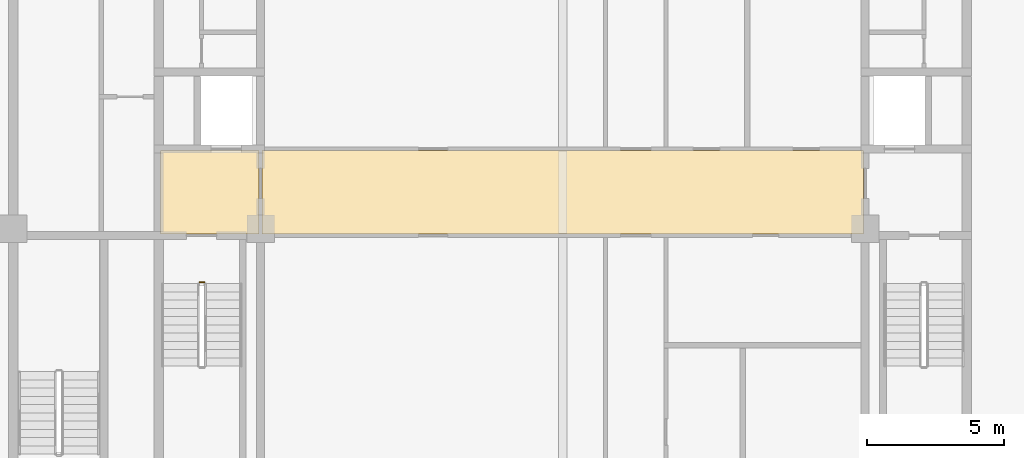
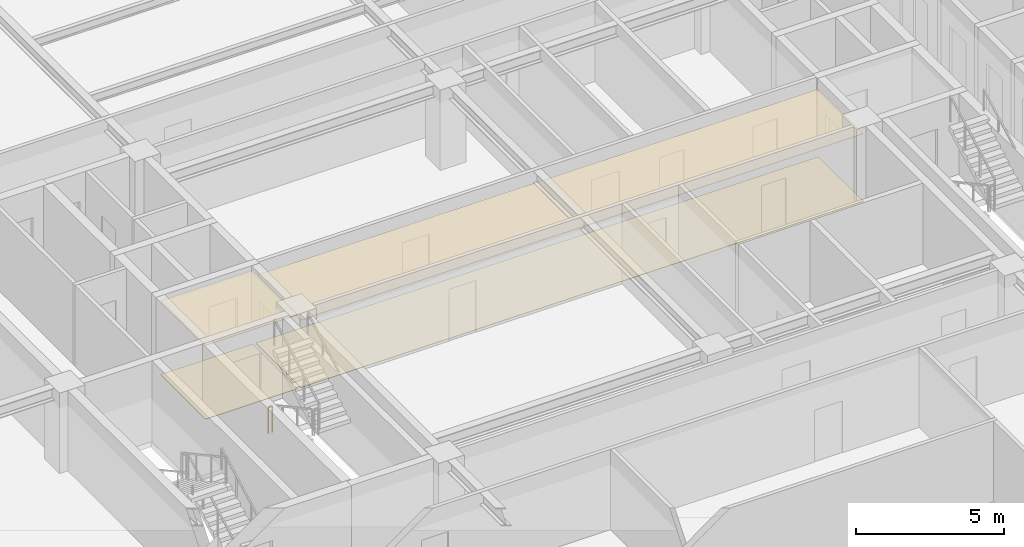
# One storey, part 18 of 20: 4 coverings, 1 railing.
"""IFC4 building model written with IfcOpenShell, lengths in metres."""

from ifc_helpers import new_model, si_unit, direction, frame, origin, origin_2d, place, context, subcontext, project, spatial, polyline, rectangle, outline, extrude, material, layer, layer_set, type_object, element, save


model = new_model("IFC4")

# Units and contexts
model_context = context("Model", 3, precision=1e-05, world=origin(), true_north=direction((0.0, 1.0)))
body_context = subcontext(model_context, "Body", "Model", "MODEL_VIEW")
ifc_project = project(units=[si_unit("LENGTHUNIT", "METRE"), si_unit("AREAUNIT", "SQUARE_METRE"), si_unit("VOLUMEUNIT", "CUBIC_METRE"), si_unit("PLANEANGLEUNIT", "RADIAN"), si_unit("MASSUNIT", "GRAM", prefix="KILO")], contexts=[model_context])

# Site, building, storey
site_placement = place(None, origin())
site = spatial("IfcSite", under=ifc_project, at=site_placement, CompositionType="ELEMENT")
building_placement = place(site_placement, origin())
building = spatial("IfcBuilding", under=site, at=building_placement, Name="Zulmaris Gate Convention Tower", CompositionType="ELEMENT")
storey_placement = place(building_placement, frame((0.0, 0.0, 146.33984375)))
storey = spatial("IfcBuildingStorey", under=building, at=storey_placement, Name="L37", CompositionType="ELEMENT", Elevation=146.33984375)

# Coverings
ifc_material_1 = material(Name="Mineral Fibre Acoustic Ceiling Tile")
ifc_layer_1 = layer(ifc_material_1, 0.02001953125, Name="Mineral Fibre Acoustic Ceiling Tile")
ifc_layer_set_1 = layer_set([ifc_layer_1], Name="Mineral Fibre Acoustic Ceiling Tile")
covering_type_1 = type_object("IfcCoveringType", Name="CLG-ACOUSTIC-600", PredefinedType="CEILING", material=ifc_layer_set_1)
covering_1_placement = place(storey_placement, frame((0.0, 0.0, 3.0400390625)))
element("IfcCovering", 1, at=covering_1_placement, inside=storey, type_object=covering_type_1, Name="CLG-L37-R03", PredefinedType="CEILING", context=body_context, shape_type="SweptSolid", body=[
    extrude(outline(polyline([(-14.639892578125, -0.18994140625), (-11.06005859375, -0.18994140625), (-11.06005859375, 2.840087890625), (-14.639892578125, 2.840087890625), (-14.639892578125, -0.18994140625)])), origin(), (0.0, 0.0, 1.0), 0.02001953125),
])
covering_2_placement = place(storey_placement, frame((0.0, 0.0, 2.778076171875)))
element("IfcCovering", 2, at=covering_2_placement, inside=storey, type_object=covering_type_1, Name="CLG-L37-R34", PredefinedType="CEILING", context=body_context, shape_type="SweptSolid", body=[
    extrude(outline(polyline([(-10.93994140625, -0.18994140625), (10.93994140625, -0.18994140625), (10.93994140625, 2.840087890625), (-10.93994140625, 2.840087890625), (-10.93994140625, -0.18994140625)])), origin(), (0.0, 0.0, 1.0), 0.02001953125),
])
ifc_material_2 = material(Name="Woven Acoustic Wool Carpet Tile")
ifc_layer_2 = layer(ifc_material_2, 0.02001953125, Name="Woven Acoustic Wool Carpet Tile")
ifc_layer_set_2 = layer_set([ifc_layer_2], Name="Woven Acoustic Wool Carpet Tile")
covering_type_2 = type_object("IfcCoveringType", Name="FLR-CARPET-12", PredefinedType="FLOORING", material=ifc_layer_set_2)
covering_3_placement = place(storey_placement, origin())
element("IfcCovering", 3, at=covering_3_placement, inside=storey, type_object=covering_type_2, Name="FLR-L37-R03", PredefinedType="FLOORING", context=body_context, shape_type="SweptSolid", body=[
    extrude(outline(polyline([(-14.639892578125, -0.18994140625), (-11.06005859375, -0.18994140625), (-11.06005859375, 2.840087890625), (-14.639892578125, 2.840087890625), (-14.639892578125, -0.18994140625)])), origin(), (0.0, 0.0, 1.0), 0.02001953125),
])
covering_4_placement = place(storey_placement, origin())
element("IfcCovering", 4, at=covering_4_placement, inside=storey, type_object=covering_type_2, Name="FLR-L37-R34", PredefinedType="FLOORING", context=body_context, shape_type="SweptSolid", body=[
    extrude(outline(polyline([(-10.93994140625, -0.18994140625), (10.93994140625, -0.18994140625), (10.93994140625, 2.840087890625), (-10.93994140625, 2.840087890625), (-10.93994140625, -0.18994140625)])), origin(), (0.0, 0.0, 1.0), 0.02001953125),
])

# Railing
ifc_material_3 = material(Name="Painted Galvanised Steel", Category="steel")
railing_type = type_object("IfcRailingType", Name="RL-STG-1150", PredefinedType="GUARDRAIL", material=ifc_material_3)
railing_placement = place(storey_placement, frame((-13.219970703125, -1.949951171875, 0.0)))
element("IfcRailing", 5, at=railing_placement, inside=storey, type_object=railing_type, Name="L37 ST-1 stair guard 4", PredefinedType="GUARDRAIL", context=body_context, shape_type="SweptSolid", body=[
    extrude(rectangle(XDim=0.048095703125, YDim=0.048095703125, at=origin_2d()), frame((0.0, 0.0, 1.076171875), z_axis=(1.0, 0.0, 0.0), x_axis=(0.0, 1.0, 0.0)), (0.0, 0.0, 1.0), 0.159912109375),
    extrude(rectangle(XDim=0.0419921875, YDim=0.0419921875, at=origin_2d()), origin(), (0.0, 0.0, 1.0), 1.052001953125),
    extrude(rectangle(XDim=0.0419921875, YDim=0.0419921875, at=origin_2d()), frame((0.159912109375, 0.0, 0.0)), (0.0, 0.0, 1.0), 1.052001953125),
])

save(model, "model.ifc")
